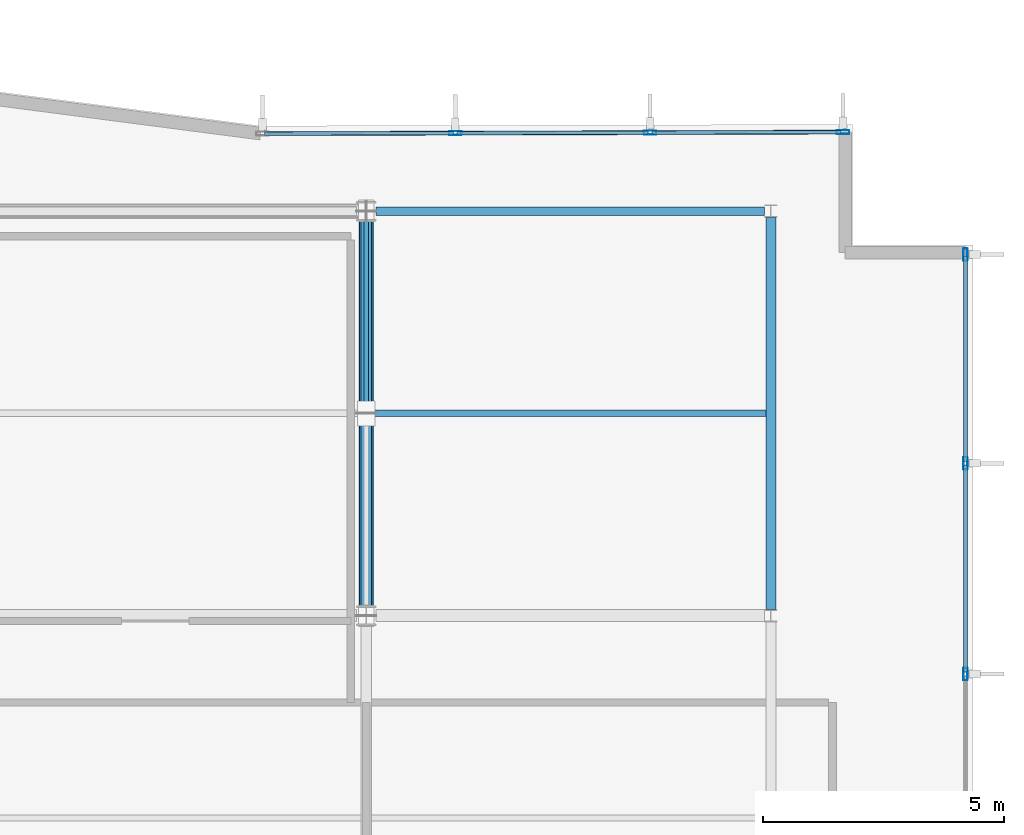
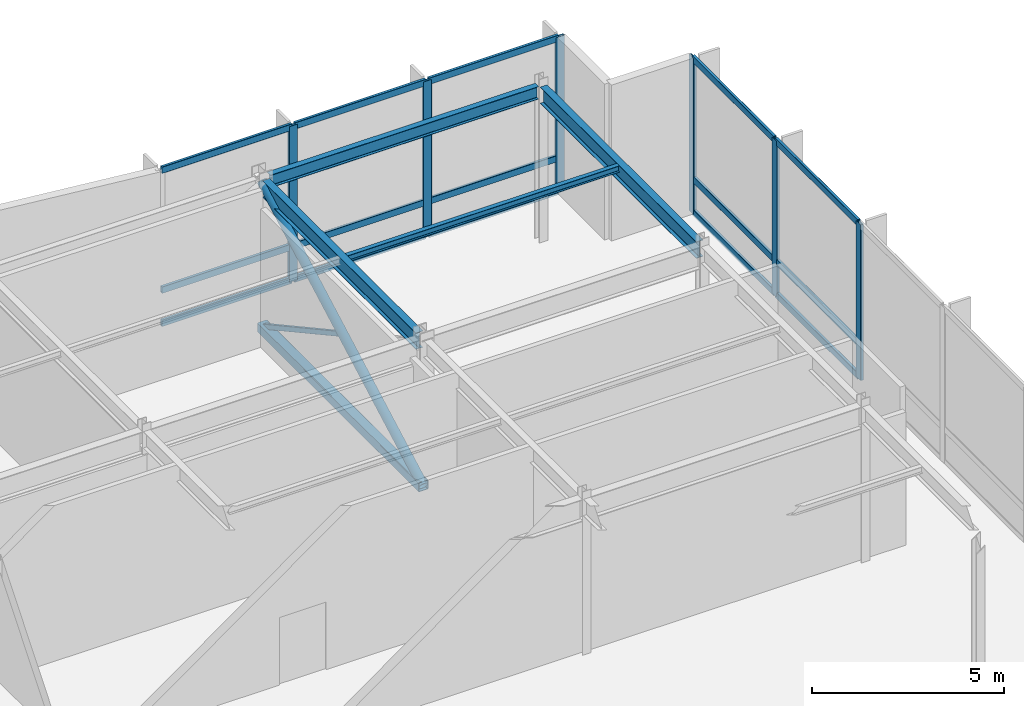
# One storey, part 7 of 15: 24 members, 4 beams, 2 elements without a shape of their own.
"""IFC4 building model written with IfcOpenShell, lengths in metres."""

from ifc_helpers import new_model, si_unit, direction, frame, origin, origin_2d, place, context, subcontext, project, spatial, hollow_rectangle, hollow_circle, i_section, extrude, material, layer, layer_set, material_profile, profile_set, type_object, element, aggregate, save


model = new_model("IFC4")

# Units and contexts
model_context = context("Model", 3, precision=1e-05, world=origin(), true_north=direction((0.0, 1.0)))
body_context = subcontext(model_context, "Body", "Model", "MODEL_VIEW")
ifc_project = project(units=[si_unit("LENGTHUNIT", "METRE"), si_unit("AREAUNIT", "SQUARE_METRE"), si_unit("VOLUMEUNIT", "CUBIC_METRE"), si_unit("PLANEANGLEUNIT", "RADIAN"), si_unit("MASSUNIT", "GRAM", prefix="KILO")], contexts=[model_context])

# Site, building, storey
site_placement = place(None, origin())
site = spatial("IfcSite", under=ifc_project, at=site_placement, CompositionType="ELEMENT")
building_placement = place(site_placement, origin())
building = spatial("IfcBuilding", under=site, at=building_placement, Name="Varnakote Quay Hospital", CompositionType="ELEMENT")
storey_placement = place(building_placement, frame((0.0, 0.0, 235.550048828125)))
storey = spatial("IfcBuildingStorey", under=building, at=storey_placement, Name="L58", CompositionType="ELEMENT", Elevation=235.550048828125)

# Beams
ifc_material_1 = material(Name="Structural steel AS/NZS 3679.1 Grade 350 L0 (fy 340 MPa)", Category="steel")
ifc_material_profile_1 = material_profile(ifc_material_1, i_section(OverallWidth=0.208984375, OverallDepth=0.528076171875, WebThickness=0.009521484375, FlangeThickness=0.01318359375, FilletRadius=0.013916015625, at=origin_2d()), Name="530UB82.0")
ifc_profile_set_1 = profile_set([ifc_material_profile_1], Name="Structural steel AS/NZS 3679.1 Grade 350 L0 (fy 340 MPa)")
beam_type_1 = type_object("IfcBeamType", Name="BM-STL-530UB82-0", PredefinedType="BEAM", material=ifc_profile_set_1)
beam_1_placement = place(storey_placement, frame((33.60009765625, 20.60205078125, 4.696044921875), z_axis=(0.0, 1.0, 0.0), x_axis=(-1.0, 0.0, 0.0)))
element("IfcBeam", 1, at=beam_1_placement, inside=storey, type_object=beam_type_1, Name="L58 Primary Tie Beam", PredefinedType="BEAM", context=body_context, shape_type="SweptSolid", body=[
    extrude(i_section(OverallWidth=0.208984375, OverallDepth=0.528076171875, WebThickness=0.009521484375, FlangeThickness=0.01318359375, FilletRadius=0.013916015625, at=origin_2d()), origin(), (0.0, 0.0, 1.0), 7.995849609375),
])
beam_2_placement = place(storey_placement, frame((42.0, 20.530029296875, 4.696044921875), z_axis=(0.0, 1.0, 0.0), x_axis=(-1.0, 0.0, 0.0)))
element("IfcBeam", 2, at=beam_2_placement, inside=storey, type_object=beam_type_1, Name="L58 Primary Tie Beam", PredefinedType="BEAM", context=body_context, shape_type="SweptSolid", body=[
    extrude(i_section(OverallWidth=0.208984375, OverallDepth=0.528076171875, WebThickness=0.009521484375, FlangeThickness=0.01318359375, FilletRadius=0.013916015625, at=origin_2d()), origin(), (0.0, 0.0, 1.0), 8.139892578125),
])

# Curtain wall, members
ifc_material_2 = material(Name="Anodised aluminium 6063-T6 Bronze", Category="aluminium")
ifc_layer = layer(ifc_material_2, 0.25)
ifc_layer_set = layer_set([ifc_layer], Name="Anodised aluminium 6063-T6 Bronze")
curtain_wall_type = type_object("IfcCurtainWallType", Name="CW-SYS-6", PredefinedType="NOTDEFINED", material=ifc_layer_set)
curtain_wall_1_placement = place(storey_placement, origin())
curtain_wall_1 = element("IfcCurtainWall", 3, at=curtain_wall_1_placement, inside=storey, type_object=curtain_wall_type, Name="L58 Unitised Bronze Curtain Wall 1", PredefinedType="NOTDEFINED")
ifc_material_3 = material(Name="Anodised aluminium 6063-T6 Bronze", Category="aluminium")
ifc_material_profile_2 = material_profile(ifc_material_3, hollow_rectangle(XDim=0.0849609375, YDim=0.260009765625, WallThickness=0.0048828125, InnerFilletRadius=0.0048828125, OuterFilletRadius=0.010009765625, at=origin_2d()), Name="CW-MULL-260x85")
ifc_profile_set_2 = profile_set([ifc_material_profile_2], Name="Anodised aluminium 6063-T6 Bronze")
member_type_1 = type_object("IfcMemberType", Name="CW-MULL-260x85", PredefinedType="MULLION", material=ifc_profile_set_2)
member_1_placement = place(storey_placement, frame((46.0400390625, 19.18798828125, 0.0), z_axis=(0.0, 0.0, 1.0), x_axis=(-1.0, 0.0, 0.0)))
member_1 = element("IfcMember", 4, at=member_1_placement, type_object=member_type_1, Name="-6-L58-1 mullion 4", PredefinedType="MULLION", context=body_context, shape_type="SweptSolid", body=[
    extrude(hollow_rectangle(XDim=0.0849609375, YDim=0.260009765625, WallThickness=0.0048828125, InnerFilletRadius=0.0048828125, OuterFilletRadius=0.010009765625, at=origin_2d()), origin(), (0.0, 0.0, 1.0), 4.9599609375),
])
member_2_placement = place(storey_placement, frame((46.0400390625, 23.56396484375, 0.0), z_axis=(0.0, 0.0, 1.0), x_axis=(-1.0, 0.0, 0.0)))
member_2 = element("IfcMember", 5, at=member_2_placement, type_object=member_type_1, Name="-6-L58-1 mullion 5", PredefinedType="MULLION", context=body_context, shape_type="SweptSolid", body=[
    extrude(hollow_rectangle(XDim=0.0849609375, YDim=0.260009765625, WallThickness=0.0048828125, InnerFilletRadius=0.0048828125, OuterFilletRadius=0.010009765625, at=origin_2d()), origin(), (0.0, 0.0, 1.0), 4.9599609375),
])
member_3_placement = place(storey_placement, frame((46.0400390625, 27.8974609375, 0.0), z_axis=(0.0, 0.0, 1.0), x_axis=(-1.0, 0.0, 0.0)))
member_3 = element("IfcMember", 6, at=member_3_placement, type_object=member_type_1, Name="-6-L58-1 mullion 6", PredefinedType="MULLION", context=body_context, shape_type="SweptSolid", body=[
    extrude(hollow_rectangle(XDim=0.0849609375, YDim=0.260009765625, WallThickness=0.0048828125, InnerFilletRadius=0.0048828125, OuterFilletRadius=0.010009765625, at=origin_2d()), origin(), (0.0, 0.0, 1.0), 4.9599609375),
])

curtain_wall_2_placement = place(storey_placement, origin())
curtain_wall_2 = element("IfcCurtainWall", 7, at=curtain_wall_2_placement, inside=storey, type_object=curtain_wall_type, Name="L58 Unitised Bronze Curtain Wall 2", PredefinedType="NOTDEFINED")
member_4_placement = place(storey_placement, frame((43.49755859375, 30.439453125, 0.0), z_axis=(0.0, 0.0, 1.0), x_axis=(0.002604222224, -0.999996609008, 0.0)))
member_4 = element("IfcMember", 8, at=member_4_placement, type_object=member_type_1, Name="-6-L58-2 mullion 1", PredefinedType="MULLION", context=body_context, shape_type="SweptSolid", body=[
    extrude(hollow_rectangle(XDim=0.0849609375, YDim=0.260009765625, WallThickness=0.0048828125, InnerFilletRadius=0.0048828125, OuterFilletRadius=0.010009765625, at=origin_2d()), origin(), (0.0, 0.0, 1.0), 4.9599609375),
])
member_5_placement = place(storey_placement, frame((39.495361328125, 30.428955078125, 0.0), z_axis=(0.0, 0.0, 1.0), x_axis=(0.002604222224, -0.999996609008, 0.0)))
member_5 = element("IfcMember", 9, at=member_5_placement, type_object=member_type_1, Name="-6-L58-2 mullion 2", PredefinedType="MULLION", context=body_context, shape_type="SweptSolid", body=[
    extrude(hollow_rectangle(XDim=0.0849609375, YDim=0.260009765625, WallThickness=0.0048828125, InnerFilletRadius=0.0048828125, OuterFilletRadius=0.010009765625, at=origin_2d()), origin(), (0.0, 0.0, 1.0), 4.9599609375),
])
member_6_placement = place(storey_placement, frame((35.45068359375, 30.41845703125, 0.0), z_axis=(0.0, 0.0, 1.0), x_axis=(0.002604222224, -0.999996609008, 0.0)))
member_6 = element("IfcMember", 10, at=member_6_placement, type_object=member_type_1, Name="-6-L58-2 mullion 3", PredefinedType="MULLION", context=body_context, shape_type="SweptSolid", body=[
    extrude(hollow_rectangle(XDim=0.0849609375, YDim=0.260009765625, WallThickness=0.0048828125, InnerFilletRadius=0.0048828125, OuterFilletRadius=0.010009765625, at=origin_2d()), origin(), (0.0, 0.0, 1.0), 4.9599609375),
])

# Member
ifc_material_4 = material(Name="Anodised aluminium 6063-T6 Bronze", Category="aluminium")
ifc_material_profile_3 = material_profile(ifc_material_4, hollow_rectangle(XDim=0.0849609375, YDim=0.2099609375, WallThickness=0.00439453125, InnerFilletRadius=0.00439453125, OuterFilletRadius=0.009033203125, at=origin_2d()), Name="CW-TRAN-210x85")
ifc_profile_set_3 = profile_set([ifc_material_profile_3], Name="Anodised aluminium 6063-T6 Bronze")
member_type_2 = type_object("IfcMemberType", Name="CW-TRAN-210x85", PredefinedType="USERDEFINED", material=ifc_profile_set_3)
member_7_placement = place(storey_placement, frame((46.0400390625, 19.23046875, 0.04248046875), z_axis=(0.0, 1.0, 0.0), x_axis=(-1.0, 0.0, 0.0)))
member_7 = element("IfcMember", 11, at=member_7_placement, type_object=member_type_2, Name="-6-L58-1 transom 4.1", ObjectType="TRANSOM", PredefinedType="USERDEFINED", context=body_context, shape_type="SweptSolid", body=[
    extrude(hollow_rectangle(XDim=0.0849609375, YDim=0.2099609375, WallThickness=0.00439453125, InnerFilletRadius=0.00439453125, OuterFilletRadius=0.009033203125, at=origin_2d()), origin(), (0.0, 0.0, 1.0), 4.291015625),
])

member_8_placement = place(storey_placement, frame((46.0400390625, 19.23046875, 1.099853515625), z_axis=(0.0, 1.0, 0.0), x_axis=(-1.0, 0.0, 0.0)))
member_8 = element("IfcMember", 12, at=member_8_placement, type_object=member_type_2, Name="-6-L58-1 transom 4.2", ObjectType="TRANSOM", PredefinedType="USERDEFINED", context=body_context, shape_type="SweptSolid", body=[
    extrude(hollow_rectangle(XDim=0.0849609375, YDim=0.2099609375, WallThickness=0.00439453125, InnerFilletRadius=0.00439453125, OuterFilletRadius=0.009033203125, at=origin_2d()), origin(), (0.0, 0.0, 1.0), 4.291015625),
])

member_9_placement = place(storey_placement, frame((46.0400390625, 19.23046875, 4.91748046875), z_axis=(0.0, 1.0, 0.0), x_axis=(-1.0, 0.0, 0.0)))
member_9 = element("IfcMember", 13, at=member_9_placement, type_object=member_type_2, Name="-6-L58-1 transom 4.3", ObjectType="TRANSOM", PredefinedType="USERDEFINED", context=body_context, shape_type="SweptSolid", body=[
    extrude(hollow_rectangle(XDim=0.0849609375, YDim=0.2099609375, WallThickness=0.00439453125, InnerFilletRadius=0.00439453125, OuterFilletRadius=0.009033203125, at=origin_2d()), origin(), (0.0, 0.0, 1.0), 4.291015625),
])

member_10_placement = place(storey_placement, frame((46.0400390625, 23.6064453125, 0.04248046875), z_axis=(0.0, 1.0, 0.0), x_axis=(-1.0, 0.0, 0.0)))
member_10 = element("IfcMember", 14, at=member_10_placement, type_object=member_type_2, Name="-6-L58-1 transom 5.1", ObjectType="TRANSOM", PredefinedType="USERDEFINED", context=body_context, shape_type="SweptSolid", body=[
    extrude(hollow_rectangle(XDim=0.0849609375, YDim=0.2099609375, WallThickness=0.00439453125, InnerFilletRadius=0.00439453125, OuterFilletRadius=0.009033203125, at=origin_2d()), origin(), (0.0, 0.0, 1.0), 4.24853515625),
])

member_11_placement = place(storey_placement, frame((46.0400390625, 23.6064453125, 1.099853515625), z_axis=(0.0, 1.0, 0.0), x_axis=(-1.0, 0.0, 0.0)))
member_11 = element("IfcMember", 15, at=member_11_placement, type_object=member_type_2, Name="-6-L58-1 transom 5.2", ObjectType="TRANSOM", PredefinedType="USERDEFINED", context=body_context, shape_type="SweptSolid", body=[
    extrude(hollow_rectangle(XDim=0.0849609375, YDim=0.2099609375, WallThickness=0.00439453125, InnerFilletRadius=0.00439453125, OuterFilletRadius=0.009033203125, at=origin_2d()), origin(), (0.0, 0.0, 1.0), 4.24853515625),
])

member_12_placement = place(storey_placement, frame((46.0400390625, 23.6064453125, 4.91748046875), z_axis=(0.0, 1.0, 0.0), x_axis=(-1.0, 0.0, 0.0)))
member_12 = element("IfcMember", 16, at=member_12_placement, type_object=member_type_2, Name="-6-L58-1 transom 5.3", ObjectType="TRANSOM", PredefinedType="USERDEFINED", context=body_context, shape_type="SweptSolid", body=[
    extrude(hollow_rectangle(XDim=0.0849609375, YDim=0.2099609375, WallThickness=0.00439453125, InnerFilletRadius=0.00439453125, OuterFilletRadius=0.009033203125, at=origin_2d()), origin(), (0.0, 0.0, 1.0), 4.24853515625),
])

aggregate(curtain_wall_1, [member_1, member_2, member_3, member_7, member_8, member_9, member_10, member_11, member_12])

member_13_placement = place(storey_placement, frame((43.455078125, 30.439453125, 0.04248046875), z_axis=(-0.999996574004, -0.002617628925, 0.0), x_axis=(0.002617628925, -0.999996574004, 0.0)))
member_13 = element("IfcMember", 17, at=member_13_placement, type_object=member_type_2, Name="-6-L58-2 transom 1.1", ObjectType="TRANSOM", PredefinedType="USERDEFINED", context=body_context, shape_type="SweptSolid", body=[
    extrude(hollow_rectangle(XDim=0.0849609375, YDim=0.2099609375, WallThickness=0.00439453125, InnerFilletRadius=0.00439453125, OuterFilletRadius=0.009033203125, at=origin_2d()), origin(), (0.0, 0.0, 1.0), 3.917236328125),
])

member_14_placement = place(storey_placement, frame((43.455078125, 30.439453125, 1.099853515625), z_axis=(-0.999996574004, -0.002617628925, 0.0), x_axis=(0.002617628925, -0.999996574004, 0.0)))
member_14 = element("IfcMember", 18, at=member_14_placement, type_object=member_type_2, Name="-6-L58-2 transom 1.2", ObjectType="TRANSOM", PredefinedType="USERDEFINED", context=body_context, shape_type="SweptSolid", body=[
    extrude(hollow_rectangle(XDim=0.0849609375, YDim=0.2099609375, WallThickness=0.00439453125, InnerFilletRadius=0.00439453125, OuterFilletRadius=0.009033203125, at=origin_2d()), origin(), (0.0, 0.0, 1.0), 3.917236328125),
])

member_15_placement = place(storey_placement, frame((43.455078125, 30.439453125, 4.91748046875), z_axis=(-0.999996574004, -0.002617628925, 0.0), x_axis=(0.002617628925, -0.999996574004, 0.0)))
member_15 = element("IfcMember", 19, at=member_15_placement, type_object=member_type_2, Name="-6-L58-2 transom 1.3", ObjectType="TRANSOM", PredefinedType="USERDEFINED", context=body_context, shape_type="SweptSolid", body=[
    extrude(hollow_rectangle(XDim=0.0849609375, YDim=0.2099609375, WallThickness=0.00439453125, InnerFilletRadius=0.00439453125, OuterFilletRadius=0.009033203125, at=origin_2d()), origin(), (0.0, 0.0, 1.0), 3.917236328125),
])

member_16_placement = place(storey_placement, frame((39.452880859375, 30.428955078125, 0.04248046875), z_axis=(-0.999996647118, -0.002589546777, 0.0), x_axis=(0.002589546777, -0.999996647118, 0.0)))
member_16 = element("IfcMember", 20, at=member_16_placement, type_object=member_type_2, Name="-6-L58-2 transom 2.1", ObjectType="TRANSOM", PredefinedType="USERDEFINED", context=body_context, shape_type="SweptSolid", body=[
    extrude(hollow_rectangle(XDim=0.0849609375, YDim=0.2099609375, WallThickness=0.00439453125, InnerFilletRadius=0.00439453125, OuterFilletRadius=0.009033203125, at=origin_2d()), origin(), (0.0, 0.0, 1.0), 3.959716796875),
])

member_17_placement = place(storey_placement, frame((39.452880859375, 30.428955078125, 1.099853515625), z_axis=(-0.999996647118, -0.002589546777, 0.0), x_axis=(0.002589546777, -0.999996647118, 0.0)))
member_17 = element("IfcMember", 21, at=member_17_placement, type_object=member_type_2, Name="-6-L58-2 transom 2.2", ObjectType="TRANSOM", PredefinedType="USERDEFINED", context=body_context, shape_type="SweptSolid", body=[
    extrude(hollow_rectangle(XDim=0.0849609375, YDim=0.2099609375, WallThickness=0.00439453125, InnerFilletRadius=0.00439453125, OuterFilletRadius=0.009033203125, at=origin_2d()), origin(), (0.0, 0.0, 1.0), 3.959716796875),
])

member_18_placement = place(storey_placement, frame((39.452880859375, 30.428955078125, 4.91748046875), z_axis=(-0.999996647118, -0.002589546777, 0.0), x_axis=(0.002589546777, -0.999996647118, 0.0)))
member_18 = element("IfcMember", 22, at=member_18_placement, type_object=member_type_2, Name="-6-L58-2 transom 2.3", ObjectType="TRANSOM", PredefinedType="USERDEFINED", context=body_context, shape_type="SweptSolid", body=[
    extrude(hollow_rectangle(XDim=0.0849609375, YDim=0.2099609375, WallThickness=0.00439453125, InnerFilletRadius=0.00439453125, OuterFilletRadius=0.009033203125, at=origin_2d()), origin(), (0.0, 0.0, 1.0), 3.959716796875),
])

member_19_placement = place(storey_placement, frame((35.408203125, 30.41845703125, 0.04248046875), z_axis=(-0.999996574004, -0.002617628925, 0.0), x_axis=(0.002617628925, -0.999996574004, 0.0)))
member_19 = element("IfcMember", 23, at=member_19_placement, type_object=member_type_2, Name="-6-L58-2 transom 3.1", ObjectType="TRANSOM", PredefinedType="USERDEFINED", context=body_context, shape_type="SweptSolid", body=[
    extrude(hollow_rectangle(XDim=0.0849609375, YDim=0.2099609375, WallThickness=0.00439453125, InnerFilletRadius=0.00439453125, OuterFilletRadius=0.009033203125, at=origin_2d()), origin(), (0.0, 0.0, 1.0), 3.917236328125),
])

member_20_placement = place(storey_placement, frame((35.408203125, 30.41845703125, 1.099853515625), z_axis=(-0.999996574004, -0.002617628925, 0.0), x_axis=(0.002617628925, -0.999996574004, 0.0)))
member_20 = element("IfcMember", 24, at=member_20_placement, type_object=member_type_2, Name="-6-L58-2 transom 3.2", ObjectType="TRANSOM", PredefinedType="USERDEFINED", context=body_context, shape_type="SweptSolid", body=[
    extrude(hollow_rectangle(XDim=0.0849609375, YDim=0.2099609375, WallThickness=0.00439453125, InnerFilletRadius=0.00439453125, OuterFilletRadius=0.009033203125, at=origin_2d()), origin(), (0.0, 0.0, 1.0), 3.917236328125),
])

member_21_placement = place(storey_placement, frame((35.408203125, 30.41845703125, 4.91748046875), z_axis=(-0.999996574004, -0.002617628925, 0.0), x_axis=(0.002617628925, -0.999996574004, 0.0)))
member_21 = element("IfcMember", 25, at=member_21_placement, type_object=member_type_2, Name="-6-L58-2 transom 3.3", ObjectType="TRANSOM", PredefinedType="USERDEFINED", context=body_context, shape_type="SweptSolid", body=[
    extrude(hollow_rectangle(XDim=0.0849609375, YDim=0.2099609375, WallThickness=0.00439453125, InnerFilletRadius=0.00439453125, OuterFilletRadius=0.009033203125, at=origin_2d()), origin(), (0.0, 0.0, 1.0), 3.917236328125),
])

aggregate(curtain_wall_2, [member_4, member_5, member_6, member_13, member_14, member_15, member_16, member_17, member_18, member_19, member_20, member_21])

# Beam
ifc_material_5 = material(Name="Structural steel AS/NZS 3679.1 Grade 350 L0 (fy 340 MPa)", Category="steel")
ifc_material_profile_4 = material_profile(ifc_material_5, i_section(OverallWidth=0.134033203125, OverallDepth=0.20703125, WebThickness=0.00634765625, FlangeThickness=0.009521484375, FilletRadius=0.0087890625, at=origin_2d()), Name="200UB29.8")
ifc_profile_set_4 = profile_set([ifc_material_profile_4], Name="Structural steel AS/NZS 3679.1 Grade 350 L0 (fy 340 MPa)")
beam_type_2 = type_object("IfcBeamType", Name="JST-STL-200UB29-8", PredefinedType="JOIST", material=ifc_profile_set_4)
beam_3_placement = place(storey_placement, frame((33.70458984375, 24.60009765625, 4.8564453125), z_axis=(1.0, 0.0, 0.0), x_axis=(0.0, 1.0, 0.0)))
element("IfcBeam", 26, at=beam_3_placement, inside=storey, type_object=beam_type_2, Name="L58 Composite Floor Joist", PredefinedType="JOIST", context=body_context, shape_type="SweptSolid", body=[
    extrude(i_section(OverallWidth=0.134033203125, OverallDepth=0.20703125, WebThickness=0.00634765625, FlangeThickness=0.009521484375, FilletRadius=0.0087890625, at=origin_2d()), origin(), (0.0, 0.0, 1.0), 8.19091796875),
])

# Members
ifc_material_6 = material(Name="Structural steel AS/NZS 1163 Grade 350 C350L0 (fy 350 MPa)", Category="steel")
ifc_material_profile_5 = material_profile(ifc_material_6, hollow_circle(Radius=0.136474609375, WallThickness=0.00927734375, at=origin_2d()), Name="273.1x9.3CHS")
ifc_profile_set_5 = profile_set([ifc_material_profile_5], Name="Structural steel AS/NZS 1163 Grade 350 C350L0 (fy 350 MPa)")
member_type_3 = type_object("IfcMemberType", Name="MBR-BRC-273-1x9-3CHS", PredefinedType="BRACE", material=ifc_profile_set_5)
member_22_placement = place(storey_placement, frame((33.60009765625, 20.39990234375, 0.179931640625), z_axis=(0.0, 0.877095500753, 0.480316023634), x_axis=(-1.0, 0.0, 0.0)))
element("IfcMember", 27, at=member_22_placement, inside=storey, type_object=member_type_3, Name="L58 Outrigger Truss Continuous Primary Diagonal Brace", PredefinedType="BRACE", context=body_context, shape_type="SweptSolid", body=[
    extrude(hollow_circle(Radius=0.136474609375, WallThickness=0.00927734375, at=origin_2d()), origin(), (0.0, 0.0, 1.0), 9.5771484375),
])
ifc_material_7 = material(Name="Structural steel AS/NZS 1163 Grade 350 C350L0 (fy 350 MPa)", Category="steel")
ifc_material_profile_6 = material_profile(ifc_material_7, hollow_rectangle(XDim=0.300048828125, YDim=0.300048828125, WallThickness=0.01611328125, InnerFilletRadius=0.01611328125, OuterFilletRadius=0.031982421875, at=origin_2d()), Name="300x300x16.0SHS")
ifc_profile_set_6 = profile_set([ifc_material_profile_6], Name="Structural steel AS/NZS 1163 Grade 350 C350L0 (fy 350 MPa)")
member_type_4 = type_object("IfcMemberType", Name="MBR-CHD-300x300x16-0SHS", PredefinedType="CHORD", material=ifc_profile_set_6)
member_23_placement = place(storey_placement, frame((33.60009765625, 20.39990234375, 0.179931640625), z_axis=(0.0, 1.0, 0.0), x_axis=(-1.0, 0.0, 0.0)))
element("IfcMember", 28, at=member_23_placement, inside=storey, type_object=member_type_4, Name="L58 Outrigger Truss Bottom Chord", PredefinedType="CHORD", context=body_context, shape_type="SweptSolid", body=[
    extrude(hollow_rectangle(XDim=0.300048828125, YDim=0.300048828125, WallThickness=0.01611328125, InnerFilletRadius=0.01611328125, OuterFilletRadius=0.031982421875, at=origin_2d()), origin(), (0.0, 0.0, 1.0), 8.400146484375),
])
ifc_material_8 = material(Name="Structural steel AS/NZS 1163 Grade 350 C350L0 (fy 350 MPa)", Category="steel")
ifc_material_profile_7 = material_profile(ifc_material_8, hollow_rectangle(XDim=0.10009765625, YDim=0.14990234375, WallThickness=0.006103515625, InnerFilletRadius=0.006103515625, OuterFilletRadius=0.011962890625, at=origin_2d()), Name="150x100x6.0RHS")
ifc_profile_set_7 = profile_set([ifc_material_profile_7], Name="Structural steel AS/NZS 1163 Grade 350 C350L0 (fy 350 MPa)")
member_type_5 = type_object("IfcMemberType", Name="MBR-PST-150x100x6-0RHS", PredefinedType="POST", material=ifc_profile_set_7)
member_24_placement = place(storey_placement, frame((33.60009765625, 28.800048828125, 0.179931640625), z_axis=(0.0, -0.877089619514, 0.48032676309), x_axis=(1.0, 0.0, 0.0)))
element("IfcMember", 29, at=member_24_placement, inside=storey, type_object=member_type_5, Name="L58 Outrigger Truss Split Lower Counter Brace", PredefinedType="POST", context=body_context, shape_type="SweptSolid", body=[
    extrude(hollow_rectangle(XDim=0.10009765625, YDim=0.14990234375, WallThickness=0.006103515625, InnerFilletRadius=0.006103515625, OuterFilletRadius=0.011962890625, at=origin_2d()), origin(), (0.0, 0.0, 1.0), 4.78857421875),
])

# Beam
ifc_material_9 = material(Name="Structural steel AS/NZS 3679.1 Grade 350 L0 (fy 340 MPa)", Category="steel")
ifc_material_profile_8 = material_profile(ifc_material_9, i_section(OverallWidth=0.177978515625, OverallDepth=0.406005859375, WebThickness=0.0078125, FlangeThickness=0.0126953125, FilletRadius=0.011474609375, at=origin_2d()), Name="410UB59.7")
ifc_profile_set_8 = profile_set([ifc_material_profile_8], Name="Structural steel AS/NZS 3679.1 Grade 350 L0 (fy 340 MPa)")
beam_type_3 = type_object("IfcBeamType", Name="SPN-STL-410UB59-7", PredefinedType="SPANDREL", material=ifc_profile_set_8)
beam_4_placement = place(storey_placement, frame((33.800048828125, 28.800048828125, 4.7568359375), z_axis=(1.0, 0.0, 0.0), x_axis=(0.0, 1.0, 0.0)))
element("IfcBeam", 30, at=beam_4_placement, inside=storey, type_object=beam_type_3, Name="L58 Perimeter Spandrel Beam", PredefinedType="SPANDREL", context=body_context, shape_type="SweptSolid", body=[
    extrude(i_section(OverallWidth=0.177978515625, OverallDepth=0.406005859375, WebThickness=0.0078125, FlangeThickness=0.0126953125, FilletRadius=0.011474609375, at=origin_2d()), origin(), (0.0, 0.0, 1.0), 8.072021484375),
])

save(model, "model.ifc")
